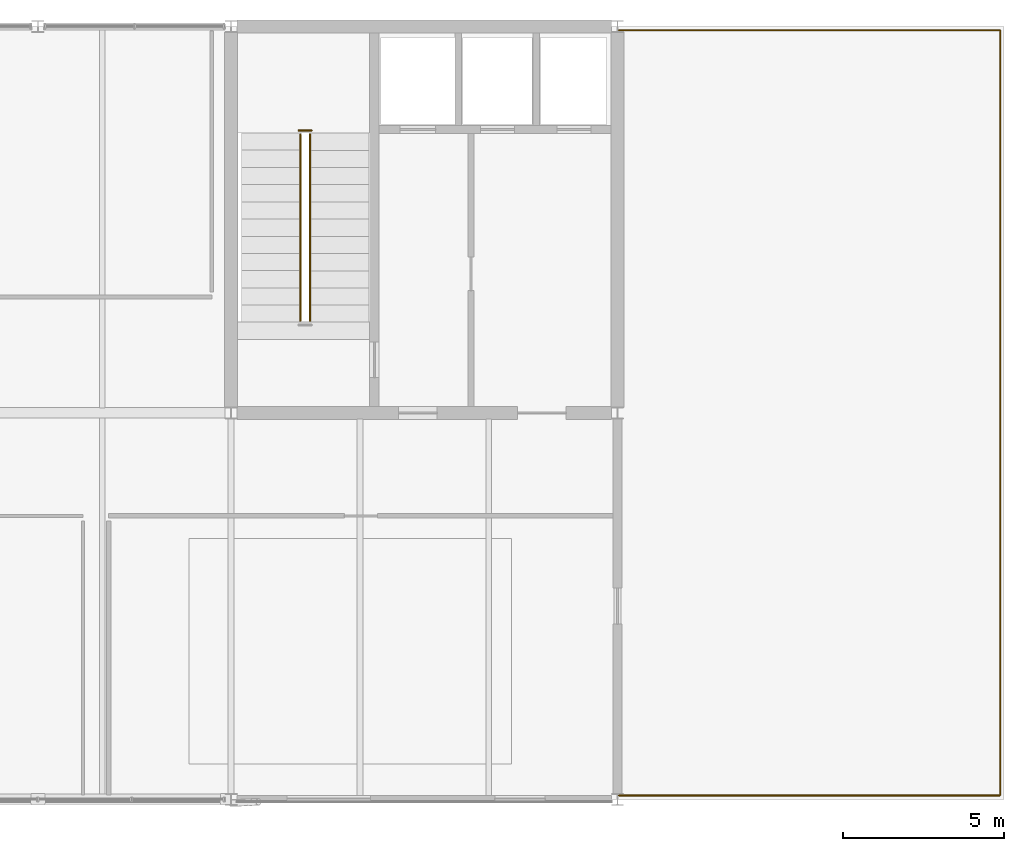
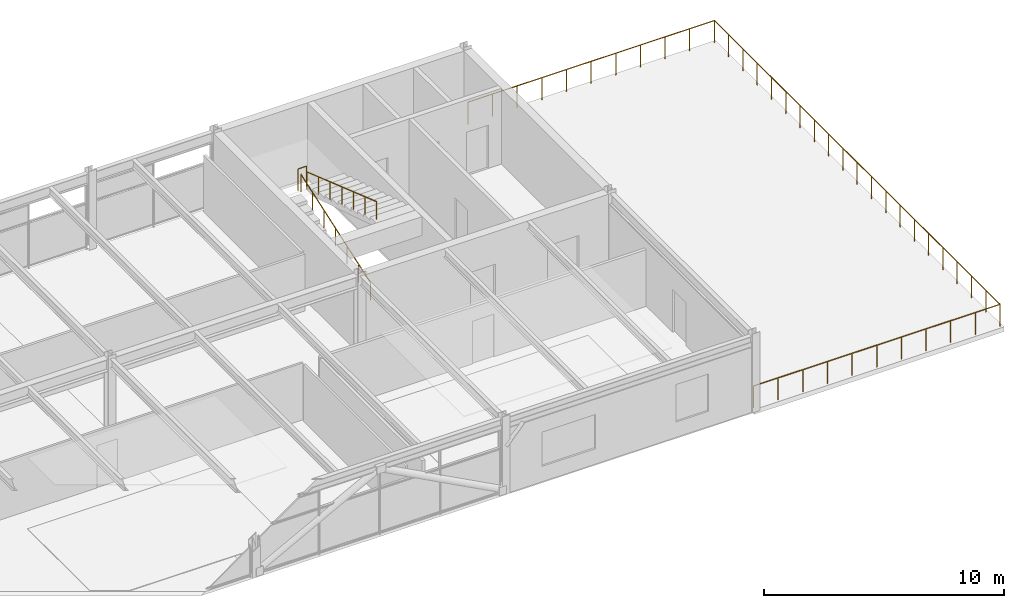
# One storey, part 32 of 32: 4 railings.
"""IFC4 building model written with IfcOpenShell, lengths in metres."""

from ifc_helpers import new_model, si_unit, direction, frame, origin, origin_2d, place, context, subcontext, project, spatial, circle, extrude, material, layer, layer_set, type_object, element, save


model = new_model("IFC4")

# Units and contexts
model_context = context("Model", 3, precision=1e-05, world=origin(), true_north=direction((0.0, 1.0)))
body_context = subcontext(model_context, "Body", "Model", "MODEL_VIEW")
ifc_project = project(units=[si_unit("LENGTHUNIT", "METRE"), si_unit("AREAUNIT", "SQUARE_METRE"), si_unit("VOLUMEUNIT", "CUBIC_METRE"), si_unit("PLANEANGLEUNIT", "RADIAN"), si_unit("MASSUNIT", "GRAM", prefix="KILO")], contexts=[model_context])

# Site, building, storey
site_placement = place(None, origin())
site = spatial("IfcSite", under=ifc_project, at=site_placement, CompositionType="ELEMENT")
building_placement = place(site_placement, origin())
building = spatial("IfcBuilding", under=site, at=building_placement, Name="Girod Span Mobility Hub", CompositionType="ELEMENT")
storey_placement = place(building_placement, frame((0.0, 0.0, 61.60009765625)))
storey = spatial("IfcBuildingStorey", under=building, at=storey_placement, Name="L15", CompositionType="ELEMENT", Elevation=61.60009765625)

# Railings
ifc_material_1 = material(Name="Anodised Aluminium Alloy 6063-T6", Category="aluminium")
ifc_layer_1 = layer(ifc_material_1, 0.070068359375)
ifc_layer_set_1 = layer_set([ifc_layer_1], Name="Anodised Aluminium Alloy 6063-T6")
railing_type_1 = type_object("IfcRailingType", Name="RL-BAL-1140", PredefinedType="BALUSTRADE", material=ifc_layer_set_1)
railing_1_placement = place(storey_placement, frame((120.0400390625, 45.1201171875, 0.0)))
element("IfcRailing", 1, at=railing_1_placement, inside=storey, type_object=railing_type_1, Name="East Exposition Sky Terrace Perimeter Balustrade", PredefinedType="BALUSTRADE", context=body_context, shape_type="SweptSolid", body=[
    extrude(circle(Radius=0.02392578125, at=origin_2d()), frame((0.0, 0.0, 1.11572265625), z_axis=(1.0, 0.0, 0.0), x_axis=(0.0, 1.0, 0.0)), (0.0, 0.0, 1.0), 11.83984375),
    extrude(circle(Radius=0.02392578125, at=origin_2d()), frame((11.83984375, 0.0, 1.11572265625), z_axis=(0.0, 1.0, 0.0), x_axis=(-1.0, 0.0, 0.0)), (0.0, 0.0, 1.0), 23.759765625),
    extrude(circle(Radius=0.02392578125, at=origin_2d()), frame((11.83984375, 23.759765625, 1.11572265625), z_axis=(-1.0, 0.0, 0.0), x_axis=(0.0, -1.0, 0.0)), (0.0, 0.0, 1.0), 11.83984375),
    extrude(circle(Radius=0.02099609375, at=origin_2d()), origin(), (0.0, 0.0, 1.0), 1.091796875),
    extrude(circle(Radius=0.02099609375, at=origin_2d()), frame((1.18408203125, 0.0, 0.0)), (0.0, 0.0, 1.0), 1.091796875),
    extrude(circle(Radius=0.02099609375, at=origin_2d()), frame((2.367919921875, 0.0, 0.0)), (0.0, 0.0, 1.0), 1.091796875),
    extrude(circle(Radius=0.02099609375, at=origin_2d()), frame((3.552001953125, 0.0, 0.0)), (0.0, 0.0, 1.0), 1.091796875),
    extrude(circle(Radius=0.02099609375, at=origin_2d()), frame((4.73583984375, 0.0, 0.0)), (0.0, 0.0, 1.0), 1.091796875),
    extrude(circle(Radius=0.02099609375, at=origin_2d()), frame((5.919921875, 0.0, 0.0)), (0.0, 0.0, 1.0), 1.091796875),
    extrude(circle(Radius=0.02099609375, at=origin_2d()), frame((7.10400390625, 0.0, 0.0)), (0.0, 0.0, 1.0), 1.091796875),
    extrude(circle(Radius=0.02099609375, at=origin_2d()), frame((8.287841796875, 0.0, 0.0)), (0.0, 0.0, 1.0), 1.091796875),
    extrude(circle(Radius=0.02099609375, at=origin_2d()), frame((9.471923828125, 0.0, 0.0)), (0.0, 0.0, 1.0), 1.091796875),
    extrude(circle(Radius=0.02099609375, at=origin_2d()), frame((10.65576171875, 0.0, 0.0)), (0.0, 0.0, 1.0), 1.091796875),
    extrude(circle(Radius=0.02099609375, at=origin_2d()), frame((11.83984375, 0.0, 0.0)), (0.0, 0.0, 1.0), 1.091796875),
    extrude(circle(Radius=0.02099609375, at=origin_2d()), frame((11.83984375, 1.18798828125, 0.0)), (0.0, 0.0, 1.0), 1.091796875),
    extrude(circle(Radius=0.02099609375, at=origin_2d()), frame((11.83984375, 2.3759765625, 0.0)), (0.0, 0.0, 1.0), 1.091796875),
    extrude(circle(Radius=0.02099609375, at=origin_2d()), frame((11.83984375, 3.56396484375, 0.0)), (0.0, 0.0, 1.0), 1.091796875),
    extrude(circle(Radius=0.02099609375, at=origin_2d()), frame((11.83984375, 4.751953125, 0.0)), (0.0, 0.0, 1.0), 1.091796875),
    extrude(circle(Radius=0.02099609375, at=origin_2d()), frame((11.83984375, 5.93994140625, 0.0)), (0.0, 0.0, 1.0), 1.091796875),
    extrude(circle(Radius=0.02099609375, at=origin_2d()), frame((11.83984375, 7.1279296875, 0.0)), (0.0, 0.0, 1.0), 1.091796875),
    extrude(circle(Radius=0.02099609375, at=origin_2d()), frame((11.83984375, 8.31591796875, 0.0)), (0.0, 0.0, 1.0), 1.091796875),
    extrude(circle(Radius=0.02099609375, at=origin_2d()), frame((11.83984375, 9.50390625, 0.0)), (0.0, 0.0, 1.0), 1.091796875),
    extrude(circle(Radius=0.02099609375, at=origin_2d()), frame((11.83984375, 10.69189453125, 0.0)), (0.0, 0.0, 1.0), 1.091796875),
    extrude(circle(Radius=0.02099609375, at=origin_2d()), frame((11.83984375, 11.8798828125, 0.0)), (0.0, 0.0, 1.0), 1.091796875),
    extrude(circle(Radius=0.02099609375, at=origin_2d()), frame((11.83984375, 13.06787109375, 0.0)), (0.0, 0.0, 1.0), 1.091796875),
    extrude(circle(Radius=0.02099609375, at=origin_2d()), frame((11.83984375, 14.255859375, 0.0)), (0.0, 0.0, 1.0), 1.091796875),
    extrude(circle(Radius=0.02099609375, at=origin_2d()), frame((11.83984375, 15.44384765625, 0.0)), (0.0, 0.0, 1.0), 1.091796875),
    extrude(circle(Radius=0.02099609375, at=origin_2d()), frame((11.83984375, 16.6318359375, 0.0)), (0.0, 0.0, 1.0), 1.091796875),
    extrude(circle(Radius=0.02099609375, at=origin_2d()), frame((11.83984375, 17.81982421875, 0.0)), (0.0, 0.0, 1.0), 1.091796875),
    extrude(circle(Radius=0.02099609375, at=origin_2d()), frame((11.83984375, 19.0078125, 0.0)), (0.0, 0.0, 1.0), 1.091796875),
    extrude(circle(Radius=0.02099609375, at=origin_2d()), frame((11.83984375, 20.19580078125, 0.0)), (0.0, 0.0, 1.0), 1.091796875),
    extrude(circle(Radius=0.02099609375, at=origin_2d()), frame((11.83984375, 21.3837890625, 0.0)), (0.0, 0.0, 1.0), 1.091796875),
    extrude(circle(Radius=0.02099609375, at=origin_2d()), frame((11.83984375, 22.57177734375, 0.0)), (0.0, 0.0, 1.0), 1.091796875),
    extrude(circle(Radius=0.02099609375, at=origin_2d()), frame((11.83984375, 23.759765625, 0.0)), (0.0, 0.0, 1.0), 1.091796875),
    extrude(circle(Radius=0.02099609375, at=origin_2d()), frame((10.65576171875, 23.759765625, 0.0)), (0.0, 0.0, 1.0), 1.091796875),
    extrude(circle(Radius=0.02099609375, at=origin_2d()), frame((9.471923828125, 23.759765625, 0.0)), (0.0, 0.0, 1.0), 1.091796875),
    extrude(circle(Radius=0.02099609375, at=origin_2d()), frame((8.287841796875, 23.759765625, 0.0)), (0.0, 0.0, 1.0), 1.091796875),
    extrude(circle(Radius=0.02099609375, at=origin_2d()), frame((7.10400390625, 23.759765625, 0.0)), (0.0, 0.0, 1.0), 1.091796875),
    extrude(circle(Radius=0.02099609375, at=origin_2d()), frame((5.919921875, 23.759765625, 0.0)), (0.0, 0.0, 1.0), 1.091796875),
    extrude(circle(Radius=0.02099609375, at=origin_2d()), frame((4.73583984375, 23.759765625, 0.0)), (0.0, 0.0, 1.0), 1.091796875),
    extrude(circle(Radius=0.02099609375, at=origin_2d()), frame((3.552001953125, 23.759765625, 0.0)), (0.0, 0.0, 1.0), 1.091796875),
    extrude(circle(Radius=0.02099609375, at=origin_2d()), frame((2.367919921875, 23.759765625, 0.0)), (0.0, 0.0, 1.0), 1.091796875),
    extrude(circle(Radius=0.02099609375, at=origin_2d()), frame((1.18408203125, 23.759765625, 0.0)), (0.0, 0.0, 1.0), 1.091796875),
    extrude(circle(Radius=0.02099609375, at=origin_2d()), frame((0.0, 23.759765625, 0.0)), (0.0, 0.0, 1.0), 1.091796875),
])
ifc_material_2 = material(Name="Painted Galvanised Steel", Category="steel")
ifc_layer_2 = layer(ifc_material_2, 0.06494140625)
ifc_layer_set_2 = layer_set([ifc_layer_2], Name="Painted Galvanised Steel")
railing_type_2 = type_object("IfcRailingType", Name="RL-GRD-1120", PredefinedType="GUARDRAIL", material=ifc_layer_set_2)
railing_2_placement = place(storey_placement, frame((110.10009765625, 65.77001953125, 2.0)))
element("IfcRailing", 2, at=railing_2_placement, inside=storey, type_object=railing_type_2, Name="Stair ST-2 Half-Landing Well Guard L15", PredefinedType="GUARDRAIL", context=body_context, shape_type="SweptSolid", body=[
    extrude(circle(Radius=0.02392578125, at=origin_2d()), frame((0.0, 0.0, 1.09619140625), z_axis=(1.0, 0.0, 0.0), x_axis=(0.0, 1.0, 0.0)), (0.0, 0.0, 1.0), 0.39990234375),
    extrude(circle(Radius=0.02099609375, at=origin_2d()), origin(), (0.0, 0.0, 1.0), 1.072021484375),
    extrude(circle(Radius=0.02099609375, at=origin_2d()), frame((0.39990234375, 0.0, 0.0)), (0.0, 0.0, 1.0), 1.072021484375),
])
ifc_material_3 = material(Name="Painted Galvanised Steel", Category="steel")
ifc_layer_3 = layer(ifc_material_3, 0.050048828125)
ifc_layer_set_3 = layer_set([ifc_layer_3], Name="Painted Galvanised Steel")
railing_type_3 = type_object("IfcRailingType", Name="RL-HR-920", PredefinedType="HANDRAIL", material=ifc_layer_set_3)
railing_3_placement = place(storey_placement, frame((110.14990234375, 59.860107421875, 0.0)))
element("IfcRailing", 3, at=railing_3_placement, inside=storey, type_object=railing_type_3, Name="Stair ST-2 Flight 1 Handrail L15", PredefinedType="HANDRAIL", context=body_context, shape_type="SweptSolid", body=[
    extrude(circle(Radius=0.02392578125, at=origin_2d()), frame((0.0, 0.0, 0.89599609375), z_axis=(0.0, 0.945021187488, 0.327009105681), x_axis=(-1.0, 0.0, 0.0)), (0.0, 0.0, 1.0), 6.115966796875),
    extrude(circle(Radius=0.02099609375, at=origin_2d()), origin(), (0.0, 0.0, 1.0), 0.871826171875),
    extrude(circle(Radius=0.02099609375, at=origin_2d()), frame((0.0, 0.96337890625, 0.333251953125)), (0.0, 0.0, 1.0), 0.871826171875),
    extrude(circle(Radius=0.02099609375, at=origin_2d()), frame((0.0, 1.926513671875, 0.666748046875)), (0.0, 0.0, 1.0), 0.871826171875),
    extrude(circle(Radius=0.02099609375, at=origin_2d()), frame((0.0, 2.889892578125, 1.0)), (0.0, 0.0, 1.0), 0.871826171875),
    extrude(circle(Radius=0.02099609375, at=origin_2d()), frame((0.0, 3.853271484375, 1.333251953125)), (0.0, 0.0, 1.0), 0.871826171875),
    extrude(circle(Radius=0.02099609375, at=origin_2d()), frame((0.0, 4.81640625, 1.666748046875)), (0.0, 0.0, 1.0), 0.871826171875),
    extrude(circle(Radius=0.02099609375, at=origin_2d()), frame((0.0, 5.77978515625, 2.0)), (0.0, 0.0, 1.0), 0.871826171875),
])
railing_4_placement = place(storey_placement, frame((110.449951171875, 65.639892578125, 2.0)))
element("IfcRailing", 4, at=railing_4_placement, inside=storey, type_object=railing_type_3, Name="Stair ST-2 Flight 2 Handrail L15", PredefinedType="HANDRAIL", context=body_context, shape_type="SweptSolid", body=[
    extrude(circle(Radius=0.02392578125, at=origin_2d()), frame((0.0, 0.0, 0.89599609375), z_axis=(0.0, -0.945021187488, 0.327009105681), x_axis=(1.0, 0.0, 0.0)), (0.0, 0.0, 1.0), 6.115966796875),
    extrude(circle(Radius=0.02099609375, at=origin_2d()), origin(), (0.0, 0.0, 1.0), 0.871826171875),
    extrude(circle(Radius=0.02099609375, at=origin_2d()), frame((0.0, -0.96337890625, 0.333251953125)), (0.0, 0.0, 1.0), 0.871826171875),
    extrude(circle(Radius=0.02099609375, at=origin_2d()), frame((0.0, -1.926513671875, 0.666748046875)), (0.0, 0.0, 1.0), 0.871826171875),
    extrude(circle(Radius=0.02099609375, at=origin_2d()), frame((0.0, -2.889892578125, 1.0)), (0.0, 0.0, 1.0), 0.871826171875),
    extrude(circle(Radius=0.02099609375, at=origin_2d()), frame((0.0, -3.853271484375, 1.333251953125)), (0.0, 0.0, 1.0), 0.871826171875),
    extrude(circle(Radius=0.02099609375, at=origin_2d()), frame((0.0, -4.81640625, 1.666748046875)), (0.0, 0.0, 1.0), 0.871826171875),
    extrude(circle(Radius=0.02099609375, at=origin_2d()), frame((0.0, -5.77978515625, 2.0)), (0.0, 0.0, 1.0), 0.871826171875),
])

save(model, "model.ifc")
